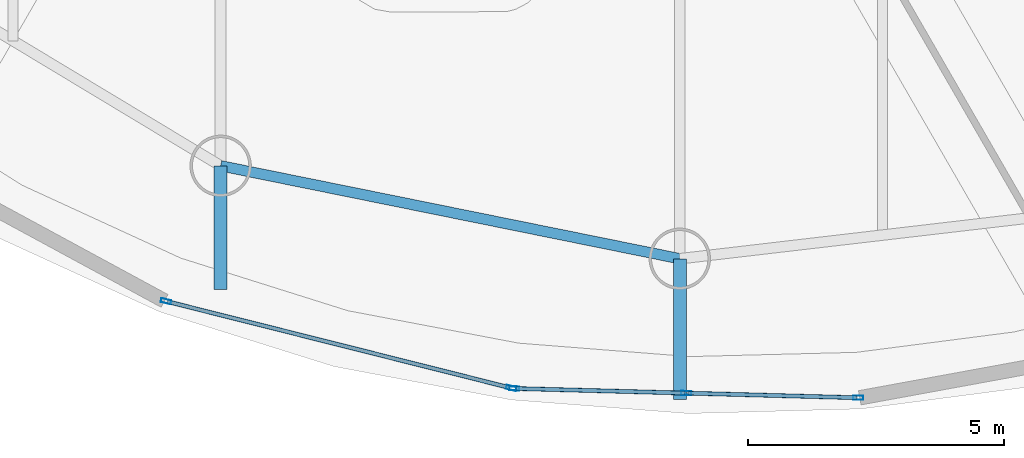
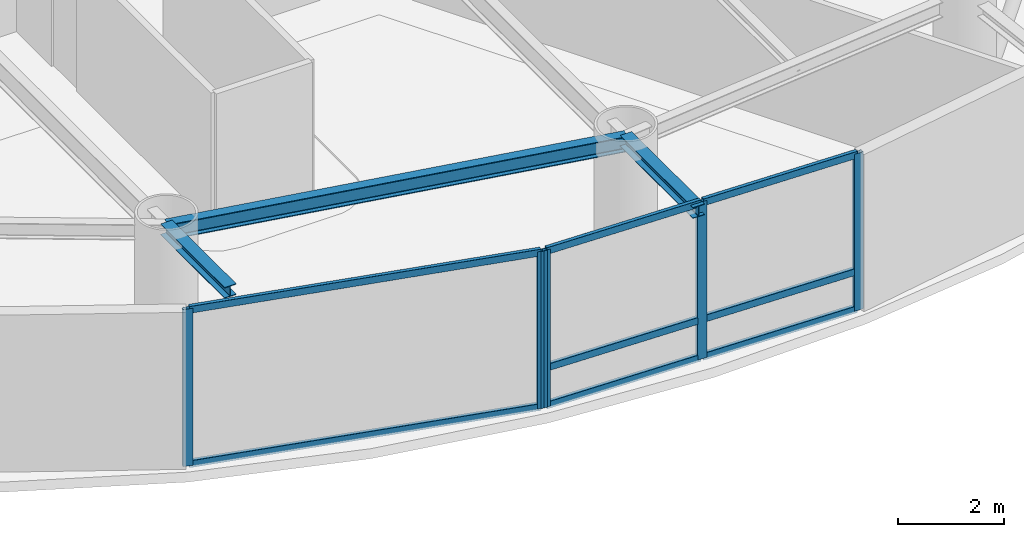
# One storey, part 2 of 20: 13 members, 3 beams, 2 elements without a shape of their own.
"""IFC4 building model written with IfcOpenShell, lengths in metres."""

from ifc_helpers import new_model, si_unit, direction, frame, origin, origin_2d, place, context, subcontext, project, spatial, hollow_rectangle, i_section, extrude, material, layer, layer_set, material_profile, profile_set, type_object, element, aggregate, save


model = new_model("IFC4")

# Units and contexts
model_context = context("Model", 3, precision=1e-05, world=origin(), true_north=direction((0.0, 1.0)))
body_context = subcontext(model_context, "Body", "Model", "MODEL_VIEW")
ifc_project = project(units=[si_unit("LENGTHUNIT", "METRE"), si_unit("AREAUNIT", "SQUARE_METRE"), si_unit("VOLUMEUNIT", "CUBIC_METRE"), si_unit("PLANEANGLEUNIT", "RADIAN"), si_unit("MASSUNIT", "GRAM", prefix="KILO")], contexts=[model_context])

# Site, building, storey
site_placement = place(None, origin())
site = spatial("IfcSite", under=ifc_project, at=site_placement, CompositionType="ELEMENT")
building_placement = place(site_placement, origin())
building = spatial("IfcBuilding", under=site, at=building_placement, Name="Bramvorn Convention Spire", CompositionType="ELEMENT")
storey_placement = place(building_placement, frame((0.0, 0.0, 175.050048828125)))
storey = spatial("IfcBuildingStorey", under=building, at=storey_placement, Name="L44", CompositionType="ELEMENT", Elevation=175.050048828125)

# Beams
ifc_material_1 = material(Name="Steel CSA G40.21 Grade 350 (350W)", Category="steel")
ifc_material_profile_1 = material_profile(ifc_material_1, i_section(OverallWidth=0.25390625, OverallDepth=0.2529296875, WebThickness=0.008544921875, FlangeThickness=0.01416015625, FilletRadius=0.011962890625, at=origin_2d()))
ifc_profile_set_1 = profile_set([ifc_material_profile_1], Name="Steel CSA G40.21 Grade 350 (350W) - W250X73")
beam_type_1 = type_object("IfcBeamType", Name="BM-W250X73", PredefinedType="BEAM", material=ifc_profile_set_1)
beam_1_placement = place(storey_placement, frame((33.61083984375, 7.227783203125, 3.493408203125), z_axis=(0.0, -1.0, 0.0), x_axis=(1.0, 0.0, 0.0)))
element("IfcBeam", 1, at=beam_1_placement, inside=storey, type_object=beam_type_1, Name="L44 slab-edge cantilever tip beam MC14", PredefinedType="BEAM", context=body_context, shape_type="SweptSolid", body=[
    extrude(i_section(OverallWidth=0.25390625, OverallDepth=0.2529296875, WebThickness=0.008544921875, FlangeThickness=0.01416015625, FilletRadius=0.011962890625, at=origin_2d()), origin(), (0.0, 0.0, 1.0), 2.418212890625),
])
beam_2_placement = place(storey_placement, frame((42.583740234375, 5.41162109375, 3.493408203125), z_axis=(0.0, -1.0, 0.0), x_axis=(1.0, 0.0, 0.0)))
element("IfcBeam", 2, at=beam_2_placement, inside=storey, type_object=beam_type_1, Name="L44 slab-edge cantilever tip beam MC15", PredefinedType="BEAM", context=body_context, shape_type="SweptSolid", body=[
    extrude(i_section(OverallWidth=0.25390625, OverallDepth=0.2529296875, WebThickness=0.008544921875, FlangeThickness=0.01416015625, FilletRadius=0.011962890625, at=origin_2d()), origin(), (0.0, 0.0, 1.0), 2.7470703125),
])
ifc_material_profile_2 = material_profile(ifc_material_1, i_section(OverallWidth=0.205078125, OverallDepth=0.35400390625, WebThickness=0.009521484375, FlangeThickness=0.016845703125, FilletRadius=0.014892578125, at=origin_2d()))
ifc_profile_set_2 = profile_set([ifc_material_profile_2], Name="Steel CSA G40.21 Grade 350 (350W) - W360X79")
beam_type_2 = type_object("IfcBeamType", Name="BM-W360X79", PredefinedType="JOIST", material=ifc_profile_set_2)
beam_3_placement = place(storey_placement, frame((33.61083984375, 7.227783203125, 3.44287109375), z_axis=(0.980124701676, -0.198382381187, 0.0), x_axis=(0.198382381187, 0.980124701676, 0.0)))
element("IfcBeam", 3, at=beam_3_placement, inside=storey, type_object=beam_type_2, Name="L44 mega-column ring beam 14", PredefinedType="JOIST", context=body_context, shape_type="SweptSolid", body=[
    extrude(i_section(OverallWidth=0.205078125, OverallDepth=0.35400390625, WebThickness=0.009521484375, FlangeThickness=0.016845703125, FilletRadius=0.014892578125, at=origin_2d()), origin(), (0.0, 0.0, 1.0), 9.15478515625),
])

# Curtain wall, members
ifc_material_2 = material(Name="Anodised Bronze Unitised Curtain Wall", Category="aluminium")
ifc_layer = layer(ifc_material_2, 0.179931640625)
ifc_layer_set = layer_set([ifc_layer], Name="Anodised Bronze Unitised Curtain Wall - CW-OFF-FRIT")
curtain_wall_type = type_object("IfcCurtainWallType", Name="CW-OFF-FRIT", PredefinedType="USERDEFINED", material=ifc_layer_set)
curtain_wall_1_placement = place(storey_placement, origin())
curtain_wall_1 = element("IfcCurtainWall", 4, at=curtain_wall_1_placement, inside=storey, type_object=curtain_wall_type, Name="L44 fritted glass curtain wall 20", ObjectType="UNITISED CURTAIN WALL", PredefinedType="USERDEFINED")
ifc_material_3 = material(Name="Anodised Bronze Aluminium 6063-T6", Category="aluminium")
ifc_material_profile_3 = material_profile(ifc_material_3, hollow_rectangle(XDim=0.080078125, YDim=0.199951171875, WallThickness=0.00390625, InnerFilletRadius=0.0009765625, OuterFilletRadius=0.00390625, at=origin_2d()))
ifc_profile_set_3 = profile_set([ifc_material_profile_3], Name="Anodised Bronze Aluminium 6063-T6 - CWM80X200")
member_type_1 = type_object("IfcMemberType", Name="CW-MUL-180", PredefinedType="MULLION", material=ifc_profile_set_3)
member_1_placement = place(storey_placement, frame((39.29052734375, 2.884765625, 0.0), z_axis=(0.0, 0.0, 1.0), x_axis=(-0.24378605546, -0.969829036049, 0.0)))
member_1 = element("IfcMember", 5, at=member_1_placement, type_object=member_type_1, Name="CW3 mullion 1", PredefinedType="MULLION", context=body_context, shape_type="SweptSolid", body=[
    extrude(hollow_rectangle(XDim=0.080078125, YDim=0.199951171875, WallThickness=0.00390625, InnerFilletRadius=0.0009765625, OuterFilletRadius=0.00390625, at=origin_2d()), origin(), (0.0, 0.0, 1.0), 3.619873046875),
])
member_2_placement = place(storey_placement, frame((32.54296875, 4.580810546875, 0.0), z_axis=(0.0, 0.0, 1.0), x_axis=(-0.24378605546, -0.969829036049, 0.0)))
member_2 = element("IfcMember", 6, at=member_2_placement, type_object=member_type_1, Name="CW3 mullion 2", PredefinedType="MULLION", context=body_context, shape_type="SweptSolid", body=[
    extrude(hollow_rectangle(XDim=0.080078125, YDim=0.199951171875, WallThickness=0.00390625, InnerFilletRadius=0.0009765625, OuterFilletRadius=0.00390625, at=origin_2d()), origin(), (0.0, 0.0, 1.0), 3.619873046875),
])

curtain_wall_2_placement = place(storey_placement, origin())
curtain_wall_2 = element("IfcCurtainWall", 7, at=curtain_wall_2_placement, inside=storey, type_object=curtain_wall_type, Name="L44 fritted glass curtain wall 21", ObjectType="UNITISED CURTAIN WALL", PredefinedType="USERDEFINED")
member_3_placement = place(storey_placement, frame((46.07177734375, 2.695068359375, 0.0), z_axis=(0.0, 0.0, 1.0), x_axis=(-0.026988101849, -0.999635754842, 0.0)))
member_3 = element("IfcMember", 8, at=member_3_placement, type_object=member_type_1, Name="CW3 mullion 1", PredefinedType="MULLION", context=body_context, shape_type="SweptSolid", body=[
    extrude(hollow_rectangle(XDim=0.080078125, YDim=0.199951171875, WallThickness=0.00390625, InnerFilletRadius=0.0009765625, OuterFilletRadius=0.00390625, at=origin_2d()), origin(), (0.0, 0.0, 1.0), 3.619873046875),
])
member_4_placement = place(storey_placement, frame((42.710693359375, 2.785888671875, 0.0), z_axis=(0.0, 0.0, 1.0), x_axis=(-0.026988101849, -0.999635754842, 0.0)))
member_4 = element("IfcMember", 9, at=member_4_placement, type_object=member_type_1, Name="CW3 mullion 2", PredefinedType="MULLION", context=body_context, shape_type="SweptSolid", body=[
    extrude(hollow_rectangle(XDim=0.080078125, YDim=0.199951171875, WallThickness=0.00390625, InnerFilletRadius=0.0009765625, OuterFilletRadius=0.00390625, at=origin_2d()), origin(), (0.0, 0.0, 1.0), 3.619873046875),
])
member_5_placement = place(storey_placement, frame((39.349609375, 2.876708984375, 0.0), z_axis=(0.0, 0.0, 1.0), x_axis=(-0.026988101849, -0.999635754842, 0.0)))
member_5 = element("IfcMember", 10, at=member_5_placement, type_object=member_type_1, Name="CW3 mullion 3", PredefinedType="MULLION", context=body_context, shape_type="SweptSolid", body=[
    extrude(hollow_rectangle(XDim=0.080078125, YDim=0.199951171875, WallThickness=0.00390625, InnerFilletRadius=0.0009765625, OuterFilletRadius=0.00390625, at=origin_2d()), origin(), (0.0, 0.0, 1.0), 3.619873046875),
])

# Member
ifc_material_profile_4 = material_profile(ifc_material_3, hollow_rectangle(XDim=0.080078125, YDim=0.159912109375, WallThickness=0.00390625, InnerFilletRadius=0.0009765625, OuterFilletRadius=0.00390625, at=origin_2d()))
ifc_profile_set_4 = profile_set([ifc_material_profile_4], Name="Anodised Bronze Aluminium 6063-T6 - CWT80X160")
member_type_2 = type_object("IfcMemberType", Name="CW-TRN-150", PredefinedType="USERDEFINED", material=ifc_profile_set_4)
member_6_placement = place(storey_placement, frame((39.261474609375, 2.89208984375, 0.030029296875), z_axis=(-0.96983356906, 0.243768021537, 0.0), x_axis=(-0.243768021537, -0.96983356906, 0.0)))
member_6 = element("IfcMember", 11, at=member_6_placement, type_object=member_type_2, Name="CW3 transom 1.1", ObjectType="TRANSOM", PredefinedType="USERDEFINED", context=body_context, shape_type="SweptSolid", body=[
    extrude(hollow_rectangle(XDim=0.080078125, YDim=0.159912109375, WallThickness=0.00390625, InnerFilletRadius=0.0009765625, OuterFilletRadius=0.00390625, at=origin_2d()), origin(), (0.0, 0.0, 1.0), 6.8974609375),
])

member_7_placement = place(storey_placement, frame((39.261474609375, 2.89208984375, 3.58984375), z_axis=(-0.96983356906, 0.243768021537, 0.0), x_axis=(-0.243768021537, -0.96983356906, 0.0)))
member_7 = element("IfcMember", 12, at=member_7_placement, type_object=member_type_2, Name="CW3 transom 1.2", ObjectType="TRANSOM", PredefinedType="USERDEFINED", context=body_context, shape_type="SweptSolid", body=[
    extrude(hollow_rectangle(XDim=0.080078125, YDim=0.159912109375, WallThickness=0.00390625, InnerFilletRadius=0.0009765625, OuterFilletRadius=0.00390625, at=origin_2d()), origin(), (0.0, 0.0, 1.0), 6.8974609375),
])

aggregate(curtain_wall_1, [member_1, member_2, member_6, member_7])

member_8_placement = place(storey_placement, frame((46.041748046875, 2.69580078125, 0.030029296875), z_axis=(-0.99963383573, 0.02705909207, 0.0), x_axis=(-0.02705909207, -0.99963383573, 0.0)))
member_8 = element("IfcMember", 13, at=member_8_placement, type_object=member_type_2, Name="CW3 transom 1.1", ObjectType="TRANSOM", PredefinedType="USERDEFINED", context=body_context, shape_type="SweptSolid", body=[
    extrude(hollow_rectangle(XDim=0.080078125, YDim=0.159912109375, WallThickness=0.00390625, InnerFilletRadius=0.0009765625, OuterFilletRadius=0.00390625, at=origin_2d()), origin(), (0.0, 0.0, 1.0), 3.30224609375),
])

member_9_placement = place(storey_placement, frame((46.041748046875, 2.69580078125, 0.89990234375), z_axis=(-0.99963383573, 0.02705909207, 0.0), x_axis=(-0.02705909207, -0.99963383573, 0.0)))
member_9 = element("IfcMember", 14, at=member_9_placement, type_object=member_type_2, Name="CW3 transom 1.2", ObjectType="TRANSOM", PredefinedType="USERDEFINED", context=body_context, shape_type="SweptSolid", body=[
    extrude(hollow_rectangle(XDim=0.080078125, YDim=0.159912109375, WallThickness=0.00390625, InnerFilletRadius=0.0009765625, OuterFilletRadius=0.00390625, at=origin_2d()), origin(), (0.0, 0.0, 1.0), 3.30224609375),
])

member_10_placement = place(storey_placement, frame((46.041748046875, 2.69580078125, 3.58984375), z_axis=(-0.99963383573, 0.02705909207, 0.0), x_axis=(-0.02705909207, -0.99963383573, 0.0)))
member_10 = element("IfcMember", 15, at=member_10_placement, type_object=member_type_2, Name="CW3 transom 1.3", ObjectType="TRANSOM", PredefinedType="USERDEFINED", context=body_context, shape_type="SweptSolid", body=[
    extrude(hollow_rectangle(XDim=0.080078125, YDim=0.159912109375, WallThickness=0.00390625, InnerFilletRadius=0.0009765625, OuterFilletRadius=0.00390625, at=origin_2d()), origin(), (0.0, 0.0, 1.0), 3.30224609375),
])

member_11_placement = place(storey_placement, frame((42.6806640625, 2.78662109375, 0.030029296875), z_axis=(-0.999635832803, 0.026985214035, 0.0), x_axis=(-0.026985214035, -0.999635832803, 0.0)))
member_11 = element("IfcMember", 16, at=member_11_placement, type_object=member_type_2, Name="CW3 transom 2.1", ObjectType="TRANSOM", PredefinedType="USERDEFINED", context=body_context, shape_type="SweptSolid", body=[
    extrude(hollow_rectangle(XDim=0.080078125, YDim=0.159912109375, WallThickness=0.00390625, InnerFilletRadius=0.0009765625, OuterFilletRadius=0.00390625, at=origin_2d()), origin(), (0.0, 0.0, 1.0), 3.30224609375),
])

member_12_placement = place(storey_placement, frame((42.6806640625, 2.78662109375, 0.89990234375), z_axis=(-0.999635832803, 0.026985214035, 0.0), x_axis=(-0.026985214035, -0.999635832803, 0.0)))
member_12 = element("IfcMember", 17, at=member_12_placement, type_object=member_type_2, Name="CW3 transom 2.2", ObjectType="TRANSOM", PredefinedType="USERDEFINED", context=body_context, shape_type="SweptSolid", body=[
    extrude(hollow_rectangle(XDim=0.080078125, YDim=0.159912109375, WallThickness=0.00390625, InnerFilletRadius=0.0009765625, OuterFilletRadius=0.00390625, at=origin_2d()), origin(), (0.0, 0.0, 1.0), 3.30224609375),
])

member_13_placement = place(storey_placement, frame((42.6806640625, 2.78662109375, 3.58984375), z_axis=(-0.999635832803, 0.026985214035, 0.0), x_axis=(-0.026985214035, -0.999635832803, 0.0)))
member_13 = element("IfcMember", 18, at=member_13_placement, type_object=member_type_2, Name="CW3 transom 2.3", ObjectType="TRANSOM", PredefinedType="USERDEFINED", context=body_context, shape_type="SweptSolid", body=[
    extrude(hollow_rectangle(XDim=0.080078125, YDim=0.159912109375, WallThickness=0.00390625, InnerFilletRadius=0.0009765625, OuterFilletRadius=0.00390625, at=origin_2d()), origin(), (0.0, 0.0, 1.0), 3.30224609375),
])

aggregate(curtain_wall_2, [member_3, member_4, member_5, member_8, member_9, member_10, member_11, member_12, member_13])

save(model, "model.ifc")
